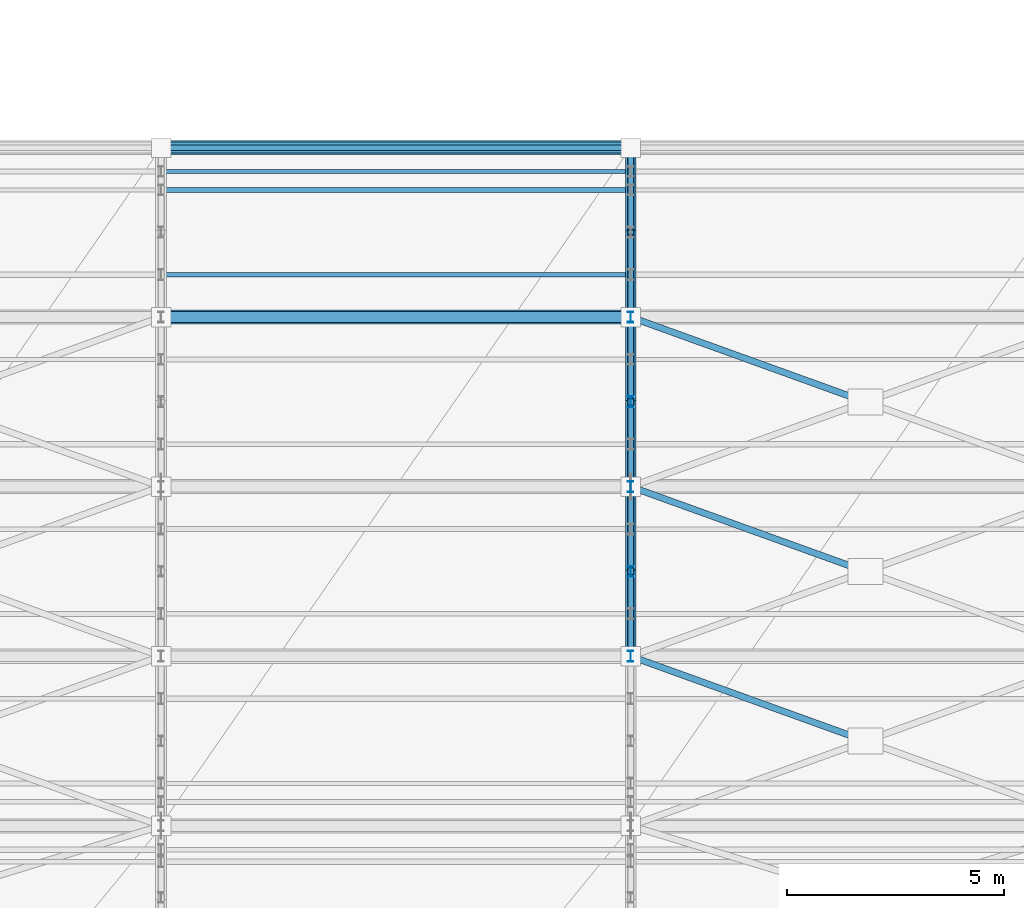
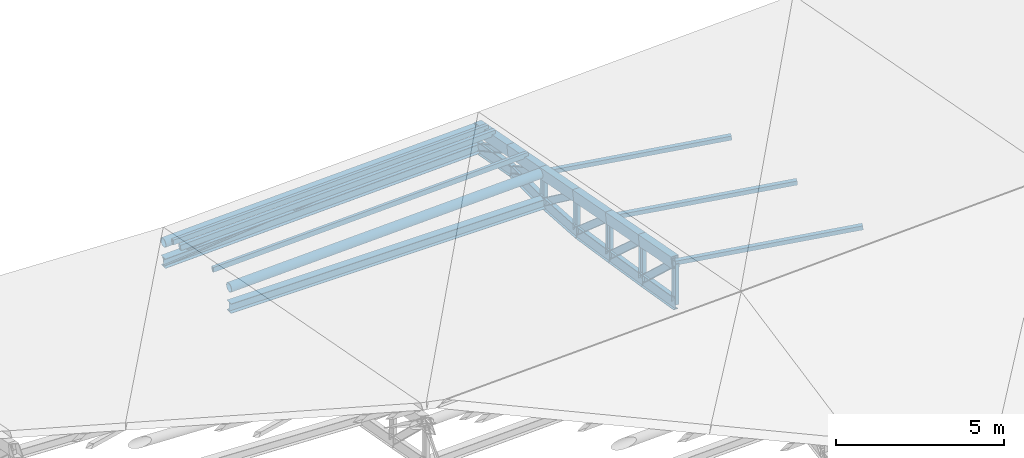
# One storey, part 24 of 89: 22 members, 12 beams.
"""IFC4 building model written with IfcOpenShell, lengths in metres."""

from ifc_helpers import new_model, si_unit, direction, frame, origin, origin_2d, place, context, subcontext, project, spatial, hollow_rectangle, hollow_circle, i_section, extrude, material, material_profile, profile_set, type_object, element, save


model = new_model("IFC4")

# Units and contexts
model_context = context("Model", 3, precision=1e-05, world=origin(), true_north=direction((0.0, 1.0)))
body_context = subcontext(model_context, "Body", "Model", "MODEL_VIEW")
ifc_project = project(units=[si_unit("LENGTHUNIT", "METRE"), si_unit("AREAUNIT", "SQUARE_METRE"), si_unit("VOLUMEUNIT", "CUBIC_METRE"), si_unit("PLANEANGLEUNIT", "RADIAN"), si_unit("MASSUNIT", "GRAM", prefix="KILO")], contexts=[model_context])

# Site, building, storey
site_placement = place(None, origin())
site = spatial("IfcSite", under=ifc_project, at=site_placement, CompositionType="ELEMENT")
building_placement = place(site_placement, origin())
building = spatial("IfcBuilding", under=site, at=building_placement, Name="Suirenkawa Promenade Aquatics Centre", CompositionType="ELEMENT")
storey_placement = place(building_placement, frame((0.0, 0.0, 9.60009765625)))
storey = spatial("IfcBuildingStorey", under=building, at=storey_placement, Name="L02", CompositionType="ELEMENT", Elevation=9.60009765625)

# Beams
ifc_material = material(Name="Steel IS 2062 E350 (Grade 350)", Category="steel")
ifc_material_profile_1 = material_profile(ifc_material, i_section(OverallWidth=0.14990234375, OverallDepth=0.449951171875, WebThickness=0.009033203125, FlangeThickness=0.01708984375, at=origin_2d()), Name="ISMB 450", Category="steel")
ifc_profile_set_1 = profile_set([ifc_material_profile_1], Name="Steel IS 2062 E350 (Grade 350)")
beam_type_1 = type_object("IfcBeamType", Name="BT-STL-ISMB450", PredefinedType="BEAM", material=ifc_profile_set_1)
beam_1_placement = place(storey_placement, frame((122.39990234375, 17.10009765625, -0.67919921875), z_axis=(0.0, 0.985994005702, -0.166780756442), x_axis=(-1.0, 0.0, 0.0)))
element("IfcBeam", 1, at=beam_1_placement, inside=storey, type_object=beam_type_1, Name="ROOF TRUSS V3 bottom chord BM-08 BM-2724", PredefinedType="BEAM", context=body_context, shape_type="SweptSolid", body=[
    extrude(i_section(OverallWidth=0.14990234375, OverallDepth=0.449951171875, WebThickness=0.009033203125, FlangeThickness=0.01708984375, at=origin_2d()), origin(), (0.0, 0.0, 1.0), 1.9775390625),
])
beam_2_placement = place(storey_placement, frame((122.39990234375, 19.050048828125, -1.009033203125), z_axis=(0.0, 0.98728433575, -0.158964273917), x_axis=(-1.0, 0.0, 0.0)))
element("IfcBeam", 2, at=beam_2_placement, inside=storey, type_object=beam_type_1, Name="ROOF TRUSS V3 bottom chord BM-08 BM-2726", PredefinedType="BEAM", context=body_context, shape_type="SweptSolid", body=[
    extrude(i_section(OverallWidth=0.14990234375, OverallDepth=0.449951171875, WebThickness=0.009033203125, FlangeThickness=0.01708984375, at=origin_2d()), origin(), (0.0, 0.0, 1.0), 1.97509765625),
])
beam_3_placement = place(storey_placement, frame((122.39990234375, 21.0, -1.322998046875), z_axis=(0.0, 0.988441697341, -0.151601487322), x_axis=(-1.0, 0.0, 0.0)))
element("IfcBeam", 3, at=beam_3_placement, inside=storey, type_object=beam_type_1, Name="ROOF TRUSS V3 bottom chord BM-08 BM-2728", PredefinedType="BEAM", context=body_context, shape_type="SweptSolid", body=[
    extrude(i_section(OverallWidth=0.14990234375, OverallDepth=0.449951171875, WebThickness=0.009033203125, FlangeThickness=0.01708984375, at=origin_2d()), origin(), (0.0, 0.0, 1.0), 1.97265625),
])
beam_4_placement = place(storey_placement, frame((122.39990234375, 22.949951171875, -1.6220703125), z_axis=(0.0, 0.997854808878, -0.065465872024), x_axis=(-1.0, 0.0, 0.0)))
element("IfcBeam", 4, at=beam_4_placement, inside=storey, type_object=beam_type_1, Name="ROOF TRUSS V3 bottom chord BM-08 BM-2730", PredefinedType="BEAM", context=body_context, shape_type="SweptSolid", body=[
    extrude(i_section(OverallWidth=0.14990234375, OverallDepth=0.449951171875, WebThickness=0.009033203125, FlangeThickness=0.01708984375, at=origin_2d()), origin(), (0.0, 0.0, 1.0), 1.9541015625),
])
beam_5_placement = place(storey_placement, frame((122.39990234375, 24.89990234375, -1.75), z_axis=(0.0, 1.0, 0.0), x_axis=(-1.0, 0.0, 0.0)))
element("IfcBeam", 5, at=beam_5_placement, inside=storey, type_object=beam_type_1, Name="ROOF TRUSS V3 bottom chord BM-08 BM-2732", PredefinedType="BEAM", context=body_context, shape_type="SweptSolid", body=[
    extrude(i_section(OverallWidth=0.14990234375, OverallDepth=0.449951171875, WebThickness=0.009033203125, FlangeThickness=0.01708984375, at=origin_2d()), origin(), (0.0, 0.0, 1.0), 1.9501953125),
])
beam_6_placement = place(storey_placement, frame((122.39990234375, 26.85009765625, -1.75), z_axis=(0.0, 0.983371695523, -0.18160426329), x_axis=(-1.0, 0.0, 0.0)))
element("IfcBeam", 6, at=beam_6_placement, inside=storey, type_object=beam_type_1, Name="ROOF TRUSS V3 bottom chord BM-08 BM-2734", PredefinedType="BEAM", context=body_context, shape_type="SweptSolid", body=[
    extrude(i_section(OverallWidth=0.14990234375, OverallDepth=0.449951171875, WebThickness=0.009033203125, FlangeThickness=0.01708984375, at=origin_2d()), origin(), (0.0, 0.0, 1.0), 1.98291015625),
])
ifc_material_profile_2 = material_profile(ifc_material, hollow_rectangle(XDim=0.25, YDim=0.39990234375, WallThickness=0.01611328125, at=origin_2d()), Name="RHS 400x250x16", Category="steel")
ifc_profile_set_2 = profile_set([ifc_material_profile_2], Name="Steel IS 2062 E350 (Grade 350)")
beam_type_2 = type_object("IfcBeamType", Name="BT-TC-RHS400", PredefinedType="BEAM", material=ifc_profile_set_2)
beam_7_placement = place(storey_placement, frame((122.39990234375, 17.10009765625, 0.802001953125), z_axis=(0.0, 0.982638808178, -0.185528899804), x_axis=(-1.0, 0.0, 0.0)))
element("IfcBeam", 7, at=beam_7_placement, inside=storey, type_object=beam_type_2, Name="ROOF TRUSS V3 top chord TC-03 BM-2723", PredefinedType="BEAM", context=body_context, shape_type="SweptSolid", body=[
    extrude(hollow_rectangle(XDim=0.25, YDim=0.39990234375, WallThickness=0.01611328125, at=origin_2d()), origin(), (0.0, 0.0, 1.0), 1.984375),
])
for number, where, z_axis, x_axis, name in (
    (8, (122.39990234375, 19.050048828125, 0.433837890625), (0.0, 0.982571460273, -0.185885248087), (-1.0, 0.0, 0.0), "ROOF TRUSS V3 top chord TC-03 BM-2725"),
    (9, (122.39990234375, 21.0, 0.06494140625), (0.0, 0.98254898431, -0.186004014558), (-1.0, 0.0, 0.0), "ROOF TRUSS V3 top chord TC-03 BM-2727"),
):
    element("IfcBeam", number, at=place(storey_placement, frame(where, z_axis=z_axis, x_axis=x_axis)), inside=storey, type_object=beam_type_2, Name=name, PredefinedType="BEAM", context=body_context, shape_type="SweptSolid", body=[
        extrude(hollow_rectangle(XDim=0.25, YDim=0.39990234375, WallThickness=0.01611328125, at=origin_2d()), origin(), (0.0, 0.0, 1.0), 1.984619140625),
    ])
beam_8_placement = place(storey_placement, frame((122.39990234375, 22.949951171875, -0.30419921875), z_axis=(0.0, 0.982661230808, -0.185410100767), x_axis=(-1.0, 0.0, 0.0)))
element("IfcBeam", 10, at=beam_8_placement, inside=storey, type_object=beam_type_2, Name="ROOF TRUSS V3 top chord TC-03 BM-2729", PredefinedType="BEAM", context=body_context, shape_type="SweptSolid", body=[
    extrude(hollow_rectangle(XDim=0.25, YDim=0.39990234375, WallThickness=0.01611328125, at=origin_2d()), origin(), (0.0, 0.0, 1.0), 1.984375),
])
beam_9_placement = place(storey_placement, frame((122.39990234375, 24.89990234375, -0.672119140625), z_axis=(0.0, 0.982575710299, -0.185862781455), x_axis=(-1.0, 0.0, 0.0)))
element("IfcBeam", 11, at=beam_9_placement, inside=storey, type_object=beam_type_2, Name="ROOF TRUSS V3 top chord TC-03 BM-2731", PredefinedType="BEAM", context=body_context, shape_type="SweptSolid", body=[
    extrude(hollow_rectangle(XDim=0.25, YDim=0.39990234375, WallThickness=0.01611328125, at=origin_2d()), origin(), (0.0, 0.0, 1.0), 1.98486328125),
])
beam_10_placement = place(storey_placement, frame((122.39990234375, 26.85009765625, -1.041015625), z_axis=(0.0, 0.98254898431, -0.186004014558), x_axis=(-1.0, 0.0, 0.0)))
element("IfcBeam", 12, at=beam_10_placement, inside=storey, type_object=beam_type_2, Name="ROOF TRUSS V3 top chord TC-03 BM-2733", PredefinedType="BEAM", context=body_context, shape_type="SweptSolid", body=[
    extrude(hollow_rectangle(XDim=0.25, YDim=0.39990234375, WallThickness=0.01611328125, at=origin_2d()), origin(), (0.0, 0.0, 1.0), 1.984619140625),
])

# Members
ifc_material_profile_3 = material_profile(ifc_material, hollow_rectangle(XDim=0.14990234375, YDim=0.14990234375, WallThickness=0.008056640625, at=origin_2d()), Name="SHS 150x150x8", Category="steel")
ifc_profile_set_3 = profile_set([ifc_material_profile_3], Name="Steel IS 2062 E350 (Grade 350)")
member_type_1 = type_object("IfcMemberType", Name="MT-BRACE-SHS150", PredefinedType="BRACE", material=ifc_profile_set_3)
member_1_placement = place(storey_placement, frame((127.719970703125, 15.178955078125, 1.387939453125), z_axis=(-0.935547290059, 0.337837713986, -0.103038570793), x_axis=(-0.339645524425, -0.940553516679, 0.0)))
element("IfcMember", 13, at=member_1_placement, inside=storey, type_object=member_type_1, Name="ROOF TRUSS V3 split plan brace B BF-02 MB-1662", PredefinedType="BRACE", context=body_context, shape_type="SweptSolid", body=[
    extrude(hollow_rectangle(XDim=0.14990234375, YDim=0.14990234375, WallThickness=0.008056640625, at=origin_2d()), origin(), (0.0, 0.0, 1.0), 5.6865234375),
])
for number, where, z_axis, x_axis, name in (
    (14, (127.719970703125, 19.0791015625, 0.64990234375), (-0.935577400739, 0.337805653206, -0.10287015062), (-0.339607340293, -0.940567304566, 0.0), "ROOF TRUSS V3 split plan brace B BF-02 MB-1665"),
    (15, (127.719970703125, 22.97900390625, -0.087158203125), (-0.935577400739, 0.337805653206, -0.10287015062), (-0.339607340293, -0.940567304566, 0.0), "ROOF TRUSS V3 split plan brace B BF-02 MB-1668"),
):
    element("IfcMember", number, at=place(storey_placement, frame(where, z_axis=z_axis, x_axis=x_axis)), inside=storey, type_object=member_type_1, Name=name, PredefinedType="BRACE", context=body_context, shape_type="SweptSolid", body=[
        extrude(hollow_rectangle(XDim=0.14990234375, YDim=0.14990234375, WallThickness=0.008056640625, at=origin_2d()), origin(), (0.0, 0.0, 1.0), 5.686279296875),
    ])
ifc_material_profile_4 = material_profile(ifc_material, hollow_circle(Radius=0.162109375, WallThickness=0.013916015625, at=origin_2d()), Name="CHS 324x14", Category="steel")
ifc_profile_set_4 = profile_set([ifc_material_profile_4], Name="Steel IS 2062 E350 (Grade 350)")
member_type_2 = type_object("IfcMemberType", Name="MT-CHORD-CHS324", PredefinedType="CHORD", material=ifc_profile_set_4)
for number, where, z_axis, x_axis, name in (
    (16, (111.60009765625, 28.800048828125, -1.81005859375), (0.999315143191, 0.0, 0.037003305103), (0.0, 1.0, 0.0), "ROOF TRUSS V3 eave top chord CH-01 MB-1523"),
    (17, (111.60009765625, 24.89990234375, -1.072021484375), (0.999315143191, 0.0, 0.037003305103), (0.0, 1.0, 0.0), "ROOF TRUSS V3 tie chord CH-01 MB-1625"),
):
    element("IfcMember", number, at=place(storey_placement, frame(where, z_axis=z_axis, x_axis=x_axis)), inside=storey, type_object=member_type_2, Name=name, PredefinedType="CHORD", context=body_context, shape_type="SweptSolid", body=[
        extrude(hollow_circle(Radius=0.162109375, WallThickness=0.013916015625, at=origin_2d()), origin(), (0.0, 0.0, 1.0), 10.80712890625),
    ])
ifc_material_profile_5 = material_profile(ifc_material, i_section(OverallWidth=0.25, OverallDepth=0.35009765625, WebThickness=0.010009765625, FlangeThickness=0.011962890625, at=origin_2d()), Name="ISHB 350", Category="steel")
ifc_profile_set_5 = profile_set([ifc_material_profile_5], Name="Steel IS 2062 E350 (Grade 350)")
member_type_3 = type_object("IfcMemberType", Name="MT-CHORD-ISHB350", PredefinedType="CHORD", material=ifc_profile_set_5)
member_2_placement = place(storey_placement, frame((111.60009765625, 28.800048828125, -2.510009765625), z_axis=(0.999315143191, 0.0, 0.037003305103), x_axis=(0.0, 1.0, 0.0)))
element("IfcMember", 18, at=member_2_placement, inside=storey, type_object=member_type_3, Name="ROOF TRUSS V3 eave bottom chord CH-04 MB-1524", PredefinedType="CHORD", context=body_context, shape_type="SweptSolid", body=[
    extrude(i_section(OverallWidth=0.25, OverallDepth=0.35009765625, WebThickness=0.010009765625, FlangeThickness=0.011962890625, at=origin_2d()), origin(), (0.0, 0.0, 1.0), 10.80712890625),
])
member_3_placement = place(storey_placement, frame((111.60009765625, 24.89990234375, -1.772216796875), z_axis=(0.999997884078, 0.0, 0.002057143671), x_axis=(0.0, 1.0, 0.0)))
element("IfcMember", 19, at=member_3_placement, inside=storey, type_object=member_type_3, Name="ROOF TRUSS V3 bottom tie CH-04 MB-1626", PredefinedType="CHORD", context=body_context, shape_type="SweptSolid", body=[
    extrude(i_section(OverallWidth=0.25, OverallDepth=0.35009765625, WebThickness=0.010009765625, FlangeThickness=0.011962890625, at=origin_2d()), origin(), (0.0, 0.0, 1.0), 10.7998046875),
])
ifc_material_profile_6 = material_profile(ifc_material, hollow_rectangle(XDim=0.10009765625, YDim=0.179931640625, WallThickness=0.008056640625, at=origin_2d()), Name="RHS 180x100x8", Category="steel")
ifc_profile_set_6 = profile_set([ifc_material_profile_6], Name="Steel IS 2062 E350 (Grade 350)")
member_type_4 = type_object("IfcMemberType", Name="MT-PURLIN-RHS180", PredefinedType="PURLIN", material=ifc_profile_set_6)
for number, where, z_axis, x_axis, name in (
    (20, (111.60009765625, 25.875, -1.004150390625), (0.999314307585, 0.0, 0.037025864683), (0.0, 1.0, 0.0), "ROOF TRUSS Roof purlin PU-01 MB-2779"),
    (21, (111.60009765625, 28.25, -1.453125), (0.999314307585, 0.0, 0.037025864683), (0.0, 1.0, 0.0), "ROOF TRUSS Roof purlin PU-01 MB-2783"),
):
    element("IfcMember", number, at=place(storey_placement, frame(where, z_axis=z_axis, x_axis=x_axis)), inside=storey, type_object=member_type_4, Name=name, PredefinedType="PURLIN", context=body_context, shape_type="SweptSolid", body=[
        extrude(hollow_rectangle(XDim=0.10009765625, YDim=0.179931640625, WallThickness=0.008056640625, at=origin_2d()), origin(), (0.0, 0.0, 1.0), 10.80712890625),
    ])
ifc_material_profile_7 = material_profile(ifc_material, hollow_rectangle(XDim=0.1201171875, YDim=0.199951171875, WallThickness=0.008056640625, at=origin_2d()), Name="RHS 200x120x8", Category="steel")
ifc_profile_set_7 = profile_set([ifc_material_profile_7], Name="Steel IS 2062 E350 (Grade 350)")
member_type_5 = type_object("IfcMemberType", Name="MT-PURLIN-RHS200", PredefinedType="PURLIN", material=ifc_profile_set_7)
member_4_placement = place(storey_placement, frame((111.60009765625, 27.824951171875, -1.384033203125), z_axis=(0.999315143191, 0.0, 0.037003305103), x_axis=(0.0, 1.0, 0.0)))
element("IfcMember", 22, at=member_4_placement, inside=storey, type_object=member_type_5, Name="ROOF TRUSS Roof purlin PU-02 MB-2781", PredefinedType="PURLIN", context=body_context, shape_type="SweptSolid", body=[
    extrude(hollow_rectangle(XDim=0.1201171875, YDim=0.199951171875, WallThickness=0.008056640625, at=origin_2d()), origin(), (0.0, 0.0, 1.0), 10.80712890625),
])
ifc_material_profile_8 = material_profile(ifc_material, i_section(OverallWidth=0.125, OverallDepth=0.25, WebThickness=0.007080078125, FlangeThickness=0.012939453125, at=origin_2d()), Name="ISMB 250", Category="steel")
ifc_profile_set_8 = profile_set([ifc_material_profile_8], Name="Steel IS 2062 E350 (Grade 350)")
member_type_6 = type_object("IfcMemberType", Name="MT-WEB-CHS168", PredefinedType="BRACE", material=ifc_profile_set_8)
member_5_placement = place(storey_placement, frame((122.39990234375, 17.10009765625, 0.802001953125), z_axis=(0.0, 0.732724871642, -0.68052499034), x_axis=(-1.0, 0.0, 0.0)))
element("IfcMember", 23, at=member_5_placement, inside=storey, type_object=member_type_6, Name="ROOF TRUSS V3 web diagonal TD-03 MB-1410", PredefinedType="BRACE", context=body_context, shape_type="SweptSolid", body=[
    extrude(i_section(OverallWidth=0.125, OverallDepth=0.25, WebThickness=0.007080078125, FlangeThickness=0.012939453125, at=origin_2d()), origin(), (0.0, 0.0, 1.0), 2.6611328125),
])
member_6_placement = place(storey_placement, frame((122.39990234375, 19.050048828125, 0.433837890625), z_axis=(0.0, 0.74293789867, -0.669360350424), x_axis=(-1.0, 0.0, 0.0)))
element("IfcMember", 24, at=member_6_placement, inside=storey, type_object=member_type_6, Name="ROOF TRUSS V3 web diagonal TD-03 MB-1411", PredefinedType="BRACE", context=body_context, shape_type="SweptSolid", body=[
    extrude(i_section(OverallWidth=0.125, OverallDepth=0.25, WebThickness=0.007080078125, FlangeThickness=0.012939453125, at=origin_2d()), origin(), (0.0, 0.0, 1.0), 2.624755859375),
])
member_7_placement = place(storey_placement, frame((122.39990234375, 21.0, 0.06494140625), z_axis=(0.0, 0.756254271499, -0.654277828479), x_axis=(-1.0, 0.0, 0.0)))
element("IfcMember", 25, at=member_7_placement, inside=storey, type_object=member_type_6, Name="ROOF TRUSS V3 web diagonal TD-03 MB-1412", PredefinedType="BRACE", context=body_context, shape_type="SweptSolid", body=[
    extrude(i_section(OverallWidth=0.125, OverallDepth=0.25, WebThickness=0.007080078125, FlangeThickness=0.012939453125, at=origin_2d()), origin(), (0.0, 0.0, 1.0), 2.578369140625),
])
member_8_placement = place(storey_placement, frame((122.39990234375, 22.949951171875, -0.30419921875), z_axis=(0.0, 0.80328273488, -0.595597891068), x_axis=(-1.0, 0.0, 0.0)))
element("IfcMember", 26, at=member_8_placement, inside=storey, type_object=member_type_6, Name="ROOF TRUSS V3 web diagonal TD-03 MB-1413", PredefinedType="BRACE", context=body_context, shape_type="SweptSolid", body=[
    extrude(i_section(OverallWidth=0.125, OverallDepth=0.25, WebThickness=0.007080078125, FlangeThickness=0.012939453125, at=origin_2d()), origin(), (0.0, 0.0, 1.0), 2.427490234375),
])
member_9_placement = place(storey_placement, frame((122.39990234375, 24.89990234375, -0.672119140625), z_axis=(0.0, 0.875214680203, -0.483734703693), x_axis=(-1.0, 0.0, 0.0)))
element("IfcMember", 27, at=member_9_placement, inside=storey, type_object=member_type_6, Name="ROOF TRUSS V3 web diagonal TD-03 MB-1414", PredefinedType="BRACE", context=body_context, shape_type="SweptSolid", body=[
    extrude(i_section(OverallWidth=0.125, OverallDepth=0.25, WebThickness=0.007080078125, FlangeThickness=0.012939453125, at=origin_2d()), origin(), (0.0, 0.0, 1.0), 2.228271484375),
])
member_10_placement = place(storey_placement, frame((122.39990234375, 26.85009765625, -1.041015625), z_axis=(0.0, 0.876857197372, -0.48075092867), x_axis=(-1.0, 0.0, 0.0)))
element("IfcMember", 28, at=member_10_placement, inside=storey, type_object=member_type_6, Name="ROOF TRUSS V3 web diagonal TD-03 MB-1415", PredefinedType="BRACE", context=body_context, shape_type="SweptSolid", body=[
    extrude(i_section(OverallWidth=0.125, OverallDepth=0.25, WebThickness=0.007080078125, FlangeThickness=0.012939453125, at=origin_2d()), origin(), (0.0, 0.0, 1.0), 2.223876953125),
])
member_11_placement = place(storey_placement, frame((122.39990234375, 17.10009765625, -0.67919921875), z_axis=(0.0, 0.0, 1.0), x_axis=(1.0, 0.0, 0.0)))
element("IfcMember", 29, at=member_11_placement, inside=storey, type_object=member_type_6, Name="ROOF TRUSS V3 web post TD-03 MB-1425", PredefinedType="BRACE", context=body_context, shape_type="SweptSolid", body=[
    extrude(i_section(OverallWidth=0.125, OverallDepth=0.25, WebThickness=0.007080078125, FlangeThickness=0.012939453125, at=origin_2d()), origin(), (0.0, 0.0, 1.0), 1.481201171875),
])
member_12_placement = place(storey_placement, frame((122.39990234375, 19.050048828125, -1.009033203125), z_axis=(0.0, 0.0, 1.0), x_axis=(1.0, 0.0, 0.0)))
element("IfcMember", 30, at=member_12_placement, inside=storey, type_object=member_type_6, Name="ROOF TRUSS V3 web post TD-03 MB-1426", PredefinedType="BRACE", context=body_context, shape_type="SweptSolid", body=[
    extrude(i_section(OverallWidth=0.125, OverallDepth=0.25, WebThickness=0.007080078125, FlangeThickness=0.012939453125, at=origin_2d()), origin(), (0.0, 0.0, 1.0), 1.44287109375),
])
member_13_placement = place(storey_placement, frame((122.39990234375, 21.0, -1.322998046875), z_axis=(0.0, 0.0, 1.0), x_axis=(1.0, 0.0, 0.0)))
element("IfcMember", 31, at=member_13_placement, inside=storey, type_object=member_type_6, Name="ROOF TRUSS V3 web post TD-03 MB-1427", PredefinedType="BRACE", context=body_context, shape_type="SweptSolid", body=[
    extrude(i_section(OverallWidth=0.125, OverallDepth=0.25, WebThickness=0.007080078125, FlangeThickness=0.012939453125, at=origin_2d()), origin(), (0.0, 0.0, 1.0), 1.387939453125),
])
member_14_placement = place(storey_placement, frame((122.39990234375, 22.949951171875, -1.6220703125), z_axis=(0.0, 0.0, 1.0), x_axis=(1.0, 0.0, 0.0)))
element("IfcMember", 32, at=member_14_placement, inside=storey, type_object=member_type_6, Name="ROOF TRUSS V3 web post TD-03 MB-1428", PredefinedType="BRACE", context=body_context, shape_type="SweptSolid", body=[
    extrude(i_section(OverallWidth=0.125, OverallDepth=0.25, WebThickness=0.007080078125, FlangeThickness=0.012939453125, at=origin_2d()), origin(), (0.0, 0.0, 1.0), 1.31787109375),
])
member_15_placement = place(storey_placement, frame((122.39990234375, 24.89990234375, -1.75), z_axis=(0.0, 0.0, 1.0), x_axis=(1.0, 0.0, 0.0)))
element("IfcMember", 33, at=member_15_placement, inside=storey, type_object=member_type_6, Name="ROOF TRUSS V3 web post TD-03 MB-1429", PredefinedType="BRACE", context=body_context, shape_type="SweptSolid", body=[
    extrude(i_section(OverallWidth=0.125, OverallDepth=0.25, WebThickness=0.007080078125, FlangeThickness=0.012939453125, at=origin_2d()), origin(), (0.0, 0.0, 1.0), 1.077880859375),
])
member_16_placement = place(storey_placement, frame((111.60009765625, 28.800048828125, -2.510009765625), z_axis=(0.994854285766, 0.0, 0.101316090003), x_axis=(0.0, 1.0, 0.0)))
element("IfcMember", 34, at=member_16_placement, inside=storey, type_object=member_type_6, Name="ROOF TRUSS V3 eave web diagonal TD-03 MB-1525", PredefinedType="BRACE", context=body_context, shape_type="SweptSolid", body=[
    extrude(i_section(OverallWidth=0.125, OverallDepth=0.25, WebThickness=0.007080078125, FlangeThickness=0.012939453125, at=origin_2d()), origin(), (0.0, 0.0, 1.0), 10.855712890625),
])

save(model, "model.ifc")
